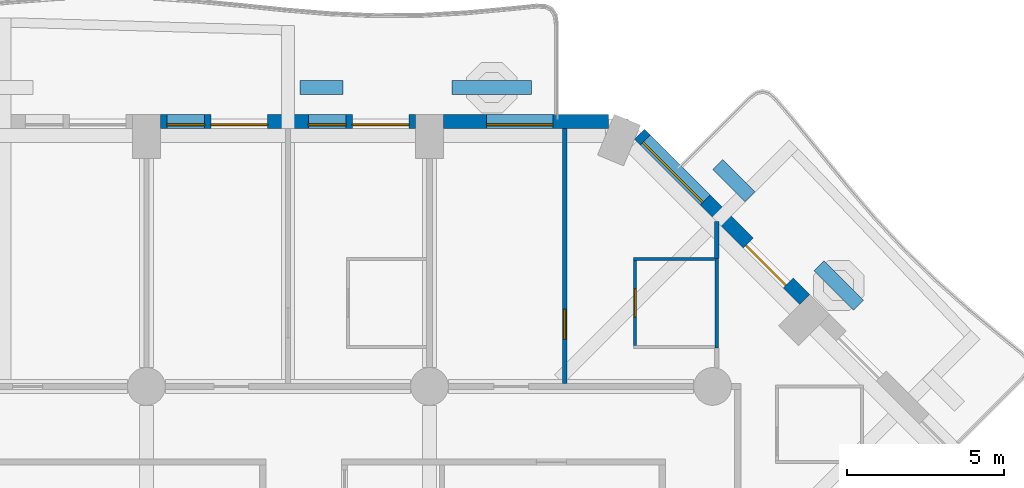
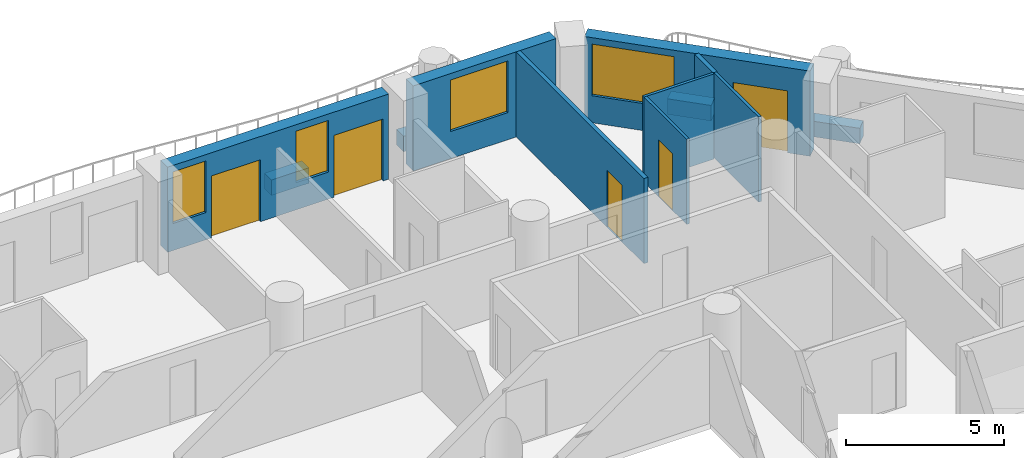
# One storey, part 10 of 20: 12 walls, 5 doors, 4 windows, 9 openings.
"""IFC4 building model written with IfcOpenShell, lengths in metres."""

from ifc_helpers import new_model, si_unit, direction, frame, frame_2d, origin, place, context, subcontext, project, spatial, rectangle, extrude, material, layer, layer_set, type_object, element, fill, save


model = new_model("IFC4")

# Units and contexts
model_context = context("Model", 3, precision=1e-05, world=origin(), true_north=direction((0.0, 1.0)))
body_context = subcontext(model_context, "Body", "Model", "MODEL_VIEW")
ifc_project = project(units=[si_unit("LENGTHUNIT", "METRE"), si_unit("AREAUNIT", "SQUARE_METRE"), si_unit("VOLUMEUNIT", "CUBIC_METRE"), si_unit("PLANEANGLEUNIT", "RADIAN"), si_unit("MASSUNIT", "GRAM", prefix="KILO")], contexts=[model_context])

# Site, building, storey
site_placement = place(None, origin())
site = spatial("IfcSite", under=ifc_project, at=site_placement, CompositionType="ELEMENT")
building_placement = place(site_placement, origin())
building = spatial("IfcBuilding", under=site, at=building_placement, Name="Cypress Arch Tower", CompositionType="ELEMENT")
storey_placement = place(building_placement, frame((0.0, 0.0, 80.699951171875)))
storey = spatial("IfcBuildingStorey", under=building, at=storey_placement, Name="L14", CompositionType="ELEMENT", Elevation=80.699951171875)

# Walls
ifc_material_1 = material(Name="Concrete C40/50, waterproofed", Category="concrete")
ifc_layer_1 = layer(ifc_material_1, 0.449951171875)
ifc_layer_set_1 = layer_set([ifc_layer_1], Name="Balcony planter wall PW450")
wall_type_1 = type_object("IfcWallType", Name="Balcony planter wall PW450", PredefinedType="SOLIDWALL", material=ifc_layer_set_1)
wall_1_placement = place(storey_placement, frame((19.9365234375, 20.07763671875, 0.0), z_axis=(0.0, 0.0, 1.0), x_axis=(-0.707106781187, 0.707106781187, 0.0)))
element("IfcWall", 1, at=wall_1_placement, inside=storey, type_object=wall_type_1, Name="Balcony planter wall L14-A07.2", PredefinedType="SOLIDWALL", context=body_context, shape_type="SweptSolid", body=[
    extrude(rectangle(XDim=1.780517578125, YDim=0.449951171875, at=frame_2d((0.89013671875, 0.0))), origin(), (0.0, 0.0, 1.0), 0.60009765625),
])
wall_2_placement = place(storey_placement, frame((16.485595703125, 23.528564453125, 0.0), z_axis=(0.0, 0.0, 1.0), x_axis=(-0.707022305137, 0.707191247145, 0.0)))
element("IfcWall", 2, at=wall_2_placement, inside=storey, type_object=wall_type_1, Name="Balcony planter wall L14-A07.3", PredefinedType="SOLIDWALL", context=body_context, shape_type="SweptSolid", body=[
    extrude(rectangle(XDim=1.445068359375, YDim=0.449951171875, at=frame_2d((0.72265625, 0.0))), origin(), (0.0, 0.0, 1.0), 0.60009765625),
])
wall_3_placement = place(storey_placement, frame((9.550048828125, 27.0, 0.0), z_axis=(0.0, 0.0, 1.0), x_axis=(-1.0, 0.0, 0.0)))
element("IfcWall", 3, at=wall_3_placement, inside=storey, type_object=wall_type_1, Name="Balcony planter wall L14-A08.1", PredefinedType="SOLIDWALL", context=body_context, shape_type="SweptSolid", body=[
    extrude(rectangle(XDim=2.53759765625, YDim=0.449951171875, at=frame_2d((1.268798828125, 0.0))), origin(), (0.0, 0.0, 1.0), 0.60009765625),
])
wall_4_placement = place(storey_placement, frame((3.550048828125, 27.0, 0.0), z_axis=(0.0, 0.0, 1.0), x_axis=(-1.0, 0.0, 0.0)))
element("IfcWall", 4, at=wall_4_placement, inside=storey, type_object=wall_type_1, Name="Balcony planter wall L14-A08.2", PredefinedType="SOLIDWALL", context=body_context, shape_type="SweptSolid", body=[
    extrude(rectangle(XDim=1.375, YDim=0.449951171875, at=frame_2d((0.6875, 0.0))), origin(), (0.0, 0.0, 1.0), 0.60009765625),
])

# Wall, openings, door, window
ifc_material_2 = material(Name="Brick (red buff blend)", Category="masonry")
ifc_layer_2 = layer(ifc_material_2, 0.449951171875)
ifc_layer_set_2 = layer_set([ifc_layer_2], Name="Brick pier and spandrel wall BW450")
wall_type_2 = type_object("IfcWallType", Name="Brick pier and spandrel wall BW450", PredefinedType="SOLIDWALL", material=ifc_layer_set_2)
wall_5_placement = place(storey_placement, frame((18.228759765625, 20.26513671875, 0.0), z_axis=(0.0, 0.0, 1.0), x_axis=(-0.707106781187, 0.707106781187, 0.0)))
wall_5 = element("IfcWall", 5, at=wall_5_placement, inside=storey, type_object=wall_type_2, Name="Brick wall L14 A07.1", PredefinedType="SOLIDWALL", context=body_context, shape_type="SweptSolid", body=[
    extrude(rectangle(XDim=7.423828125, YDim=0.449951171875, at=frame_2d((3.7119140625, 0.0))), origin(), (0.0, 0.0, 1.0), 3.300048828125),
])
opening_1_placement = place(wall_5_placement, frame((0.740234375, 0.0, 0.0)))
opening_1 = element("IfcOpeningElement", 6, at=opening_1_placement, cuts=wall_5, Name="Opening D-L14-A07.1.1", PredefinedType="OPENING", context=body_context, shape_type="SweptSolid", body=[
    extrude(rectangle(XDim=1.800048828125, YDim=2.39990234375, at=frame_2d((0.89990234375, 1.199951171875))), frame((0.0, 0.23486328125, 0.0), z_axis=(0.0, -1.0, 0.0), x_axis=(1.0, 0.0, 0.0)), (0.0, 0.0, 1.0), 0.469970703125),
])
opening_2_placement = place(wall_5_placement, frame((4.470703125, 0.0, 1.050048828125)))
opening_2 = element("IfcOpeningElement", 7, at=opening_2_placement, cuts=wall_5, Name="Opening W270HD", PredefinedType="OPENING", context=body_context, shape_type="SweptSolid", body=[
    extrude(rectangle(XDim=2.699951171875, YDim=2.0, at=frame_2d((1.35009765625, 1.0))), frame((0.0, 0.23486328125, 0.0), z_axis=(0.0, -1.0, 0.0), x_axis=(1.0, 0.0, 0.0)), (0.0, 0.0, 1.0), 0.469970703125),
])
ifc_material_3 = material(Name="Anodised aluminium, bronze finish, laminated low-emissivity double glazing, large-missile impact rated", Category="aluminium")
door_type_1 = type_object("IfcDoorType", Name="Balcony sliding door 1800x2400", OperationType="SLIDING_TO_LEFT", PredefinedType="DOOR", material=ifc_material_3)
door_1_placement = place(opening_1_placement, origin())
door_1 = element("IfcDoor", 8, at=door_1_placement, inside=storey, type_object=door_type_1, Name="Balcony door L14 A07.1.1", OperationType="SLIDING_TO_LEFT", OverallHeight=2.39990234375, OverallWidth=1.800048828125, PredefinedType="DOOR", context=body_context, shape_type="SweptSolid", body=[
    extrude(rectangle(XDim=1.800048828125, YDim=2.39990234375, at=frame_2d((0.89990234375, 1.199951171875))), frame((0.0, 0.1298828125, 0.0), z_axis=(0.0, -1.0, 0.0), x_axis=(1.0, 0.0, 0.0)), (0.0, 0.0, 1.0), 0.050048828125),
])
fill(opening_1, door_1)
ifc_material_4 = material(Name="Anodised aluminium, bronze finish, laminated low-emissivity double glazing, large-missile impact rated", Category="aluminium")
window_type_1 = type_object("IfcWindowType", Name="Window Hotel 2700x2000 debris-rated", PartitioningType="SINGLE_PANEL", PredefinedType="WINDOW", material=ifc_material_4)
window_1_placement = place(opening_2_placement, origin())
window_1 = element("IfcWindow", 9, at=window_1_placement, inside=storey, type_object=window_type_1, Name="Window L14 A07.1.2", OverallHeight=2.0, OverallWidth=2.699951171875, PartitioningType="SINGLE_PANEL", PredefinedType="WINDOW", context=body_context, shape_type="SweptSolid", body=[
    extrude(rectangle(XDim=2.699951171875, YDim=2.0, at=frame_2d((1.35009765625, 1.0))), frame((0.0, 0.135009765625, 0.0), z_axis=(0.0, -1.0, 0.0), x_axis=(1.0, 0.0, 0.0)), (0.0, 0.0, 1.0), 0.06005859375),
])
fill(opening_2, window_1)

# Wall, opening, window
wall_6_placement = place(storey_placement, frame((11.98876953125, 25.925048828125, 0.0), z_axis=(0.0, 0.0, 1.0), x_axis=(-1.0, 0.0, 0.0)))
wall_6 = element("IfcWall", 10, at=wall_6_placement, inside=storey, type_object=wall_type_2, Name="Brick wall L14 A08.0", PredefinedType="SOLIDWALL", context=body_context, shape_type="SweptSolid", body=[
    extrude(rectangle(XDim=5.23876953125, YDim=0.449951171875, at=frame_2d((2.619384765625, 0.0))), origin(), (0.0, 0.0, 1.0), 3.300048828125),
])
opening_3_placement = place(wall_6_placement, frame((1.769775390625, 0.0, 1.050048828125)))
opening_3 = element("IfcOpeningElement", 11, at=opening_3_placement, cuts=wall_6, Name="Opening W210HD", PredefinedType="OPENING", context=body_context, shape_type="SweptSolid", body=[
    extrude(rectangle(XDim=2.10009765625, YDim=2.0, at=frame_2d((1.050048828125, 1.0))), frame((0.0, 0.23486328125, 0.0), z_axis=(0.0, -1.0, 0.0), x_axis=(1.0, 0.0, 0.0)), (0.0, 0.0, 1.0), 0.469970703125),
])
ifc_material_5 = material(Name="Anodised aluminium, bronze finish, laminated low-emissivity double glazing, large-missile impact rated", Category="aluminium")
window_type_2 = type_object("IfcWindowType", Name="Window Hotel 2100x2000 debris-rated", PartitioningType="SINGLE_PANEL", PredefinedType="WINDOW", material=ifc_material_5)
window_2_placement = place(opening_3_placement, origin())
window_2 = element("IfcWindow", 12, at=window_2_placement, inside=storey, type_object=window_type_2, Name="Window L14 A08.0.1", OverallHeight=2.0, OverallWidth=2.10009765625, PartitioningType="SINGLE_PANEL", PredefinedType="WINDOW", context=body_context, shape_type="SweptSolid", body=[
    extrude(rectangle(XDim=2.10009765625, YDim=2.0, at=frame_2d((1.050048828125, 1.0))), frame((0.0, 0.135009765625, 0.0), z_axis=(0.0, -1.0, 0.0), x_axis=(1.0, 0.0, 0.0)), (0.0, 0.0, 1.0), 0.06005859375),
])
fill(opening_3, window_2)

# Wall, openings, doors, windows
wall_7_placement = place(storey_placement, frame((5.85009765625, 25.925048828125, 0.0), z_axis=(0.0, 0.0, 1.0), x_axis=(-1.0, 0.0, 0.0)))
wall_7 = element("IfcWall", 13, at=wall_7_placement, inside=storey, type_object=wall_type_2, Name="Brick wall L14 A08.1", PredefinedType="SOLIDWALL", context=body_context, shape_type="SweptSolid", body=[
    extrude(rectangle(XDim=8.10009765625, YDim=0.449951171875, at=frame_2d((4.050048828125, 0.0))), origin(), (0.0, 0.0, 1.0), 3.300048828125),
])
opening_4_placement = place(wall_7_placement, frame((0.199951171875, 0.0, 0.0)))
opening_4 = element("IfcOpeningElement", 14, at=opening_4_placement, cuts=wall_7, Name="Opening D-L14-A08.1.1", PredefinedType="OPENING", context=body_context, shape_type="SweptSolid", body=[
    extrude(rectangle(XDim=1.800048828125, YDim=2.39990234375, at=frame_2d((0.89990234375, 1.199951171875))), frame((0.0, 0.23486328125, 0.0), z_axis=(0.0, -1.0, 0.0), x_axis=(1.0, 0.0, 0.0)), (0.0, 0.0, 1.0), 0.469970703125),
])
opening_5_placement = place(wall_7_placement, frame((2.199951171875, 0.0, 1.050048828125)))
opening_5 = element("IfcOpeningElement", 15, at=opening_5_placement, cuts=wall_7, Name="Opening W120HD", PredefinedType="OPENING", context=body_context, shape_type="SweptSolid", body=[
    extrude(rectangle(XDim=1.199951171875, YDim=2.0, at=frame_2d((0.60009765625, 1.0))), frame((0.0, 0.23486328125, 0.0), z_axis=(0.0, -1.0, 0.0), x_axis=(1.0, 0.0, 0.0)), (0.0, 0.0, 1.0), 0.469970703125),
])
opening_6_placement = place(wall_7_placement, frame((4.699951171875, 0.0, 0.0)))
opening_6 = element("IfcOpeningElement", 16, at=opening_6_placement, cuts=wall_7, Name="Opening D-L14-A08.1.2", PredefinedType="OPENING", context=body_context, shape_type="SweptSolid", body=[
    extrude(rectangle(XDim=1.800048828125, YDim=2.39990234375, at=frame_2d((0.89990234375, 1.199951171875))), frame((0.0, 0.23486328125, 0.0), z_axis=(0.0, -1.0, 0.0), x_axis=(1.0, 0.0, 0.0)), (0.0, 0.0, 1.0), 0.469970703125),
])
opening_7_placement = place(wall_7_placement, frame((6.699951171875, 0.0, 1.050048828125)))
opening_7 = element("IfcOpeningElement", 17, at=opening_7_placement, cuts=wall_7, Name="Opening W120HD", PredefinedType="OPENING", context=body_context, shape_type="SweptSolid", body=[
    extrude(rectangle(XDim=1.199951171875, YDim=2.0, at=frame_2d((0.60009765625, 1.0))), frame((0.0, 0.23486328125, 0.0), z_axis=(0.0, -1.0, 0.0), x_axis=(1.0, 0.0, 0.0)), (0.0, 0.0, 1.0), 0.469970703125),
])
door_2_placement = place(opening_4_placement, origin())
door_2 = element("IfcDoor", 18, at=door_2_placement, inside=storey, type_object=door_type_1, Name="Balcony door L14 A08.1.1", OperationType="SLIDING_TO_LEFT", OverallHeight=2.39990234375, OverallWidth=1.800048828125, PredefinedType="DOOR", context=body_context, shape_type="SweptSolid", body=[
    extrude(rectangle(XDim=1.800048828125, YDim=2.39990234375, at=frame_2d((0.89990234375, 1.199951171875))), frame((0.0, 0.1298828125, 0.0), z_axis=(0.0, -1.0, 0.0), x_axis=(1.0, 0.0, 0.0)), (0.0, 0.0, 1.0), 0.050048828125),
])
fill(opening_4, door_2)
door_3_placement = place(opening_6_placement, origin())
door_3 = element("IfcDoor", 19, at=door_3_placement, inside=storey, type_object=door_type_1, Name="Balcony door L14 A08.1.2", OperationType="SLIDING_TO_LEFT", OverallHeight=2.39990234375, OverallWidth=1.800048828125, PredefinedType="DOOR", context=body_context, shape_type="SweptSolid", body=[
    extrude(rectangle(XDim=1.800048828125, YDim=2.39990234375, at=frame_2d((0.89990234375, 1.199951171875))), frame((0.0, 0.1298828125, 0.0), z_axis=(0.0, -1.0, 0.0), x_axis=(1.0, 0.0, 0.0)), (0.0, 0.0, 1.0), 0.050048828125),
])
fill(opening_6, door_3)
ifc_material_6 = material(Name="Anodised aluminium, bronze finish, laminated low-emissivity double glazing, large-missile impact rated", Category="aluminium")
window_type_3 = type_object("IfcWindowType", Name="Window Hotel 1200x2000 debris-rated", PartitioningType="SINGLE_PANEL", PredefinedType="WINDOW", material=ifc_material_6)
window_3_placement = place(opening_5_placement, origin())
window_3 = element("IfcWindow", 20, at=window_3_placement, inside=storey, type_object=window_type_3, Name="Window L14 A08.1.1", OverallHeight=2.0, OverallWidth=1.199951171875, PartitioningType="SINGLE_PANEL", PredefinedType="WINDOW", context=body_context, shape_type="SweptSolid", body=[
    extrude(rectangle(XDim=1.199951171875, YDim=2.0, at=frame_2d((0.60009765625, 1.0))), frame((0.0, 0.135009765625, 0.0), z_axis=(0.0, -1.0, 0.0), x_axis=(1.0, 0.0, 0.0)), (0.0, 0.0, 1.0), 0.06005859375),
])
fill(opening_5, window_3)
window_4_placement = place(opening_7_placement, origin())
window_4 = element("IfcWindow", 21, at=window_4_placement, inside=storey, type_object=window_type_3, Name="Window L14 A08.1.2", OverallHeight=2.0, OverallWidth=1.199951171875, PartitioningType="SINGLE_PANEL", PredefinedType="WINDOW", context=body_context, shape_type="SweptSolid", body=[
    extrude(rectangle(XDim=1.199951171875, YDim=2.0, at=frame_2d((0.60009765625, 1.0))), frame((0.0, 0.135009765625, 0.0), z_axis=(0.0, -1.0, 0.0), x_axis=(1.0, 0.0, 0.0)), (0.0, 0.0, 1.0), 0.06005859375),
])
fill(opening_7, window_4)

# Wall, opening, door
ifc_material_7 = material(Name="Blockwork, plastered both sides", Category="masonry")
ifc_layer_3 = layer(ifc_material_7, 0.14990234375)
ifc_layer_set_3 = layer_set([ifc_layer_3], Name="Partition PW150")
wall_type_3 = type_object("IfcWallType", Name="Partition PW150", PredefinedType="PARTITIONING", material=ifc_layer_set_3)
wall_8_placement = place(storey_placement, frame((10.60009765625, 17.60009765625, 0.0), z_axis=(0.0, 0.0, 1.0), x_axis=(0.0, 1.0, 0.0)))
wall_8 = element("IfcWall", 22, at=wall_8_placement, inside=storey, type_object=wall_type_3, Name="Partition", PredefinedType="PARTITIONING", context=body_context, shape_type="SweptSolid", body=[
    extrude(rectangle(XDim=8.099853515625, YDim=0.14990234375, at=frame_2d((4.0498046875, 0.0))), origin(), (0.0, 0.0, 1.0), 3.300048828125),
])
opening_8_placement = place(wall_8_placement, frame((1.39990234375, 0.0, 0.0)))
opening_8 = element("IfcOpeningElement", 23, at=opening_8_placement, cuts=wall_8, Name="Opening D12", PredefinedType="OPENING", context=body_context, shape_type="SweptSolid", body=[
    extrude(rectangle(XDim=0.949951171875, YDim=2.199951171875, at=frame_2d((0.47509765625, 1.10009765625))), frame((0.0, 0.0849609375, 0.0), z_axis=(0.0, -1.0, 0.0), x_axis=(1.0, 0.0, 0.0)), (0.0, 0.0, 1.0), 0.169921875),
])
ifc_material_8 = material(Name="Timber flush door", Category="wood")
door_type_2 = type_object("IfcDoorType", Name="Room door D12 950x2200", OperationType="SINGLE_SWING_LEFT", PredefinedType="DOOR", material=ifc_material_8)
door_4_placement = place(opening_8_placement, origin())
door_4 = element("IfcDoor", 24, at=door_4_placement, inside=storey, type_object=door_type_2, Name="Room door", OperationType="SINGLE_SWING_LEFT", OverallHeight=2.199951171875, OverallWidth=0.949951171875, PredefinedType="DOOR", context=body_context, shape_type="SweptSolid", body=[
    extrude(rectangle(XDim=0.949951171875, YDim=2.199951171875, at=frame_2d((0.47509765625, 1.10009765625))), frame((0.0, 0.02490234375, 0.0), z_axis=(0.0, -1.0, 0.0), x_axis=(1.0, 0.0, 0.0)), (0.0, 0.0, 1.0), 0.050048828125),
])
fill(opening_8, door_4)

# Wall
wall_9_placement = place(storey_placement, frame((15.431884765625, 21.570068359375, 0.0), z_axis=(0.0, 0.0, 1.0), x_axis=(0.0, 1.0, 0.0)))
element("IfcWall", 25, at=wall_9_placement, inside=storey, type_object=wall_type_3, Name="Partition", PredefinedType="PARTITIONING", context=body_context, shape_type="SweptSolid", body=[
    extrude(rectangle(XDim=1.173583984375, YDim=0.14990234375, at=frame_2d((0.5869140625, 0.0))), origin(), (0.0, 0.0, 1.0), 3.300048828125),
])

# Wall, opening, door
ifc_material_9 = material(Name="Moisture resistant board on steel studs, tiled", Category="steel")
ifc_layer_4 = layer(ifc_material_9, 0.10009765625)
ifc_layer_set_4 = layer_set([ifc_layer_4], Name="Wet wall PW100")
wall_type_4 = type_object("IfcWallType", Name="Wet wall PW100", PredefinedType="PARTITIONING", material=ifc_layer_set_4)
wall_10_placement = place(storey_placement, frame((12.8359375, 18.800048828125, 0.0), z_axis=(0.0, 0.0, 1.0), x_axis=(0.0, 1.0, 0.0)))
wall_10 = element("IfcWall", 26, at=wall_10_placement, inside=storey, type_object=wall_type_4, Name="Wet wall", PredefinedType="PARTITIONING", context=body_context, shape_type="SweptSolid", body=[
    extrude(rectangle(XDim=2.699951171875, YDim=0.10009765625, at=frame_2d((1.35009765625, 0.0))), origin(), (0.0, 0.0, 1.0), 3.300048828125),
])
opening_9_placement = place(wall_10_placement, frame((0.89990234375, 0.0, 0.0)))
opening_9 = element("IfcOpeningElement", 27, at=opening_9_placement, cuts=wall_10, Name="Opening D03", PredefinedType="OPENING", context=body_context, shape_type="SweptSolid", body=[
    extrude(rectangle(XDim=0.89990234375, YDim=2.199951171875, at=frame_2d((0.449951171875, 1.10009765625))), frame((0.0, 0.06005859375, 0.0), z_axis=(0.0, -1.0, 0.0), x_axis=(1.0, 0.0, 0.0)), (0.0, 0.0, 1.0), 0.1201171875),
])
ifc_material_10 = material(Name="Timber flush door, moisture resistant", Category="wood")
door_type_3 = type_object("IfcDoorType", Name="Bathroom door D03 900x2200", OperationType="SINGLE_SWING_LEFT", PredefinedType="DOOR", material=ifc_material_10)
door_5_placement = place(opening_9_placement, origin())
door_5 = element("IfcDoor", 28, at=door_5_placement, inside=storey, type_object=door_type_3, Name="Bathroom door", OperationType="SINGLE_SWING_LEFT", OverallHeight=2.199951171875, OverallWidth=0.89990234375, PredefinedType="DOOR", context=body_context, shape_type="SweptSolid", body=[
    extrude(rectangle(XDim=0.89990234375, YDim=2.199951171875, at=frame_2d((0.449951171875, 1.10009765625))), frame((0.0, 0.02490234375, 0.0), z_axis=(0.0, -1.0, 0.0), x_axis=(1.0, 0.0, 0.0)), (0.0, 0.0, 1.0), 0.050048828125),
])
fill(opening_9, door_5)

# Walls
wall_11_placement = place(storey_placement, frame((12.785888671875, 21.550048828125, 0.0), z_axis=(0.0, 0.0, 1.0), x_axis=(1.0, 0.0, 0.0)))
element("IfcWall", 29, at=wall_11_placement, inside=storey, type_object=wall_type_4, Name="Wet wall", PredefinedType="PARTITIONING", context=body_context, shape_type="SweptSolid", body=[
    extrude(rectangle(XDim=2.571044921875, YDim=0.10009765625, at=frame_2d((1.28564453125, 0.0))), origin(), (0.0, 0.0, 1.0), 3.300048828125),
])
wall_12_placement = place(storey_placement, frame((15.431884765625, 18.72998046875, 0.0), z_axis=(0.0, 0.0, 1.0), x_axis=(0.0, 1.0, 0.0)))
element("IfcWall", 30, at=wall_12_placement, inside=storey, type_object=wall_type_4, Name="Wet wall", PredefinedType="PARTITIONING", context=body_context, shape_type="SweptSolid", body=[
    extrude(rectangle(XDim=2.840087890625, YDim=0.10009765625, at=frame_2d((1.419921875, 0.0))), origin(), (0.0, 0.0, 1.0), 3.300048828125),
])

save(model, "model.ifc")
